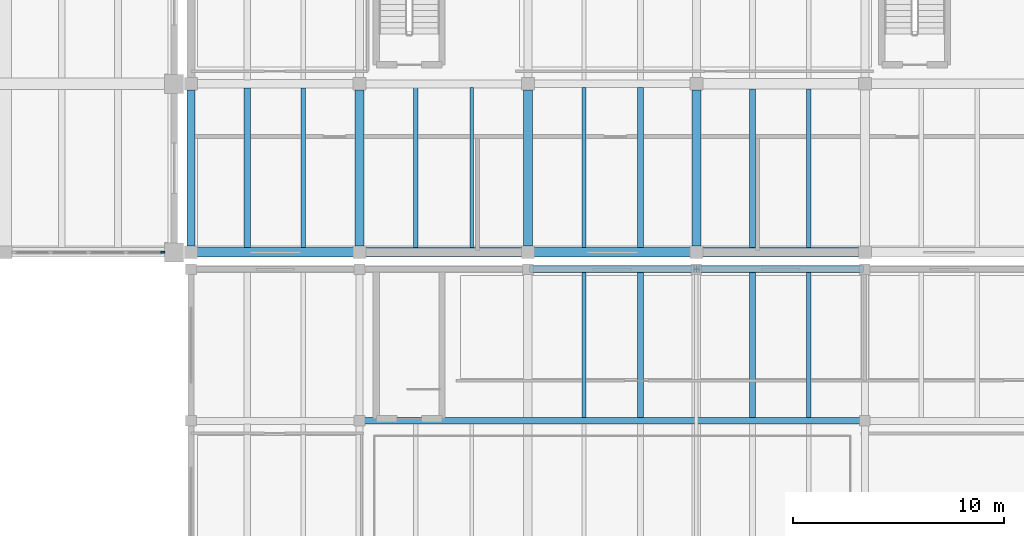
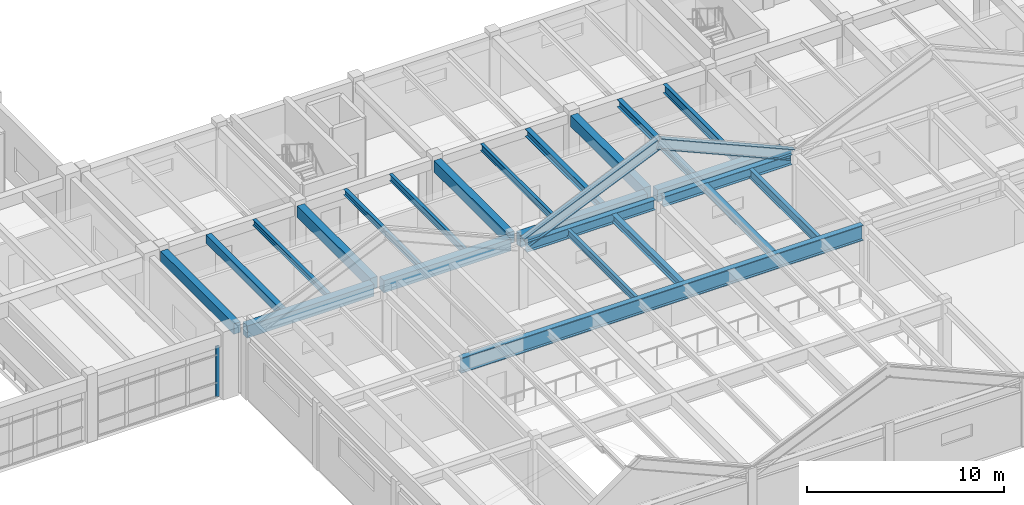
# One storey, part 14 of 67: 23 beams, 3 members, 1 element without a shape of its own.
"""IFC4 building model written with IfcOpenShell, lengths in metres."""

import ifcopenshell
import ifcopenshell.guid

model = None  # the IFC model being written
_history = None  # IfcOwnerHistory: only IFC2X3 demands one
_inside = {}  # id of a spatial element -> (the spatial element, [elements in it])
_under = {}  # id of a project, library or spatial element -> (it, [spatial elements below it])
_declared = {}  # id of a project -> (the project, [libraries it declares])
_typed = {}  # id of a type object -> (the type object, [elements of that type])
_made_of = {}  # id of a material, layer set ... -> (it, [elements and type objects made of it])


def new_model(schema):
    """Start an empty IFC model of exactly this schema.

    Asked for "IFC4X3", IfcOpenShell would pick the latest addendum, in which some entities
    have other attributes; the version numbers below select the first issue.
    IFC2X3 requires an IfcOwnerHistory on every rooted entity: one is made here for all.
    """
    global model, _history
    if schema == "IFC4X3":
        model = ifcopenshell.file(schema_version=(4, 3, 0, 0))
    else:
        model = ifcopenshell.file(schema=schema)
    _inside.clear()
    _under.clear()
    _declared.clear()
    _typed.clear()
    _made_of.clear()
    _history = None
    if model.schema == "IFC2X3":
        org = make("IfcOrganization", Name="unknown")
        user = make(
            "IfcPersonAndOrganization",
            ThePerson=make("IfcPerson", FamilyName="unknown"),
            TheOrganization=org,
        )
        app = make(
            "IfcApplication",
            ApplicationDeveloper=org,
            Version="unknown",
            ApplicationFullName="unknown",
            ApplicationIdentifier="unknown",
        )
        _history = make(
            "IfcOwnerHistory",
            OwningUser=user,
            OwningApplication=app,
            ChangeAction="ADDED",
            CreationDate=0,
        )
    return model


def make(cls, **values):
    """One entity of the class cls with the attributes given. An attribute that is None is left unset."""
    return model.create_entity(
        cls, **{name: value for name, value in values.items() if value is not None}
    )


def rooted(cls, **values):
    """An entity with a GlobalId (a new one), such as an element, a storey or a relation."""
    return make(cls, GlobalId=ifcopenshell.guid.new(), OwnerHistory=_history, **values)


def si_unit(unit_type, name, prefix=None):
    """IfcSIUnit, for example si_unit("LENGTHUNIT", "METRE", prefix="MILLI")."""
    return make("IfcSIUnit", UnitType=unit_type, Prefix=prefix, Name=name)


def assignment(units):
    """IfcUnitAssignment: the units of a project."""
    return None if units is None else make("IfcUnitAssignment", Units=units)


def point(xyz):
    """IfcCartesianPoint."""
    return None if xyz is None else make("IfcCartesianPoint", Coordinates=xyz)


def direction(xyz):
    """IfcDirection."""
    return None if xyz is None else make("IfcDirection", DirectionRatios=xyz)


def frame(location, z_axis=None, x_axis=None):
    """IfcAxis2Placement3D, a coordinate frame: its origin and axes. An axis left out is left unset."""
    return make(
        "IfcAxis2Placement3D",
        Location=point(location),
        Axis=direction(z_axis),
        RefDirection=direction(x_axis),
    )


def frame_2d(location, x_axis=None):
    """IfcAxis2Placement2D, a coordinate frame in the plane: its origin and x axis."""
    return make(
        "IfcAxis2Placement2D", Location=point(location), RefDirection=direction(x_axis)
    )


def origin():
    """The frame at (0, 0, 0) with its axes left unset."""
    return frame((0.0, 0.0, 0.0))


def origin_2d():
    """The frame at (0, 0) in the plane with its x axis left unset."""
    return frame_2d((0.0, 0.0))


def place(relative_to, where):
    """IfcLocalPlacement: puts the frame where relative to a parent placement (None: the world)."""
    return make(
        "IfcLocalPlacement", PlacementRelTo=relative_to, RelativePlacement=where
    )


def context(
    kind, dimensions, precision=None, world=None, true_north=None, identifier=None
):
    """IfcGeometricRepresentationContext, for example the 3D "Model" context."""
    return make(
        "IfcGeometricRepresentationContext",
        ContextIdentifier=identifier,
        ContextType=kind,
        CoordinateSpaceDimension=dimensions,
        Precision=precision,
        WorldCoordinateSystem=world,
        TrueNorth=true_north,
    )


def subcontext(parent, identifier, kind, view, scale=None):
    """IfcGeometricRepresentationSubContext, for example "Body" below "Model"."""
    return make(
        "IfcGeometricRepresentationSubContext",
        ContextIdentifier=identifier,
        ContextType=kind,
        ParentContext=parent,
        TargetScale=scale,
        TargetView=view,
    )


def project(units=None, contexts=None):
    """IfcProject with its units and contexts."""
    return rooted(
        "IfcProject",
        Name="project",
        RepresentationContexts=contexts,
        UnitsInContext=assignment(units),
    )


def spatial(cls, under=None, at=None, **own):
    """A site, building, storey or space (cls), placed at a placement, below another one or the project."""
    s = rooted(cls, ObjectPlacement=at, **own)
    if under is not None:
        _under.setdefault(under.id(), (under, []))[1].append(s)
    return s


def profile(cls, at=None, kind="AREA", **sizes):
    """A parametric profile (cls). Its sizes go by their IFC names, for example OverallWidth=200.0."""
    return make(cls, ProfileType=kind, Position=at, **sizes)


def rectangle(**sizes):
    """IfcRectangleProfileDef."""
    return profile("IfcRectangleProfileDef", **sizes)


def i_section(**sizes):
    """IfcIShapeProfileDef."""
    return profile("IfcIShapeProfileDef", **sizes)


def extrude(swept, where, along, depth):
    """IfcExtrudedAreaSolid: the profile swept, set in the frame where, extruded along a direction by depth."""
    return make(
        "IfcExtrudedAreaSolid",
        SweptArea=swept,
        Position=where,
        ExtrudedDirection=direction(along),
        Depth=depth,
    )


def shape(context_of_items, identifier, shape_type, items):
    """IfcShapeRepresentation: the items that make up one representation, for example the "Body"."""
    return make(
        "IfcShapeRepresentation",
        ContextOfItems=context_of_items,
        RepresentationIdentifier=identifier,
        RepresentationType=shape_type,
        Items=items,
    )


def material(Name=None, Category=None):
    """IfcMaterial."""
    return make("IfcMaterial", Name=Name, Category=Category)


def material_profile(
    of_material, cross_section, Name=None, Category=None, Priority=None
):
    """IfcMaterialProfile: a cross section and its material."""
    return make(
        "IfcMaterialProfile",
        Name=Name,
        Material=of_material,
        Profile=cross_section,
        Priority=Priority,
        Category=Category,
    )


def profile_set(profiles, Name=None, composite=None):
    """IfcMaterialProfileSet."""
    return make(
        "IfcMaterialProfileSet",
        Name=Name,
        MaterialProfiles=profiles,
        CompositeProfile=composite,
    )


def made_of(thing, what):
    """Note that an element or type object is made of a material, layer set ...; save() writes the relation."""
    if what is not None:
        _made_of.setdefault(what.id(), (what, []))[1].append(thing)
    return thing


def type_object(cls, material=None, **own):
    """A type object (cls), such as IfcWallType, which elements share."""
    return made_of(rooted(cls, **own), material)


def element(
    cls,
    number,
    at=None,
    inside=None,
    cuts=None,
    type_object=None,
    material=None,
    context=None,
    identifier="Body",
    shape_type=None,
    held_by="IfcProductDefinitionShape",
    body=None,
    shapes=None,
    **own,
):
    """One element of the class cls, such as IfcWall. Its Tag is "e" and its number.

    at: its placement. inside: the storey or other place that contains it. cuts: it is an
    opening in that element (IfcRelVoidsElement). A single representation is given by context,
    identifier, shape_type and body (its items); several are given by shapes. held_by: the class
    of the entity that holds the representations. save() writes the other relations.
    """
    e = rooted(cls, Tag="e%d" % number, ObjectPlacement=at, **own)
    if body is not None:
        shapes = [shape(context, identifier, shape_type, body)]
    if shapes is not None:
        e.Representation = make(held_by, Representations=shapes)
    if inside is not None:
        _inside.setdefault(inside.id(), (inside, []))[1].append(e)
    if cuts is not None:
        rooted(
            "IfcRelVoidsElement", RelatingBuildingElement=cuts, RelatedOpeningElement=e
        )
    if type_object is not None:
        _typed.setdefault(type_object.id(), (type_object, []))[1].append(e)
    return made_of(e, material)


def aggregate(whole, parts):
    """IfcRelAggregates: a whole, such as a stair, and the parts it consists of."""
    return rooted("IfcRelAggregates", RelatingObject=whole, RelatedObjects=parts)


def save(model, path):
    """Write the relations noted so far, then the file.

    IfcRelAggregates (storeys below a building ...), IfcRelContainedInSpatialStructure (elements
    in a storey), IfcRelDefinesByType, IfcRelAssociatesMaterial and IfcRelDeclares: one each for
    every whole, place, type object, material and project.
    """
    for whole, parts in _under.values():
        aggregate(whole, parts)
    for where, things in _inside.values():
        rooted(
            "IfcRelContainedInSpatialStructure",
            RelatedElements=things,
            RelatingStructure=where,
        )
    for kind, things in _typed.values():
        rooted("IfcRelDefinesByType", RelatedObjects=things, RelatingType=kind)
    for what, things in _made_of.values():
        rooted("IfcRelAssociatesMaterial", RelatedObjects=things, RelatingMaterial=what)
    for by, libraries in _declared.values():
        rooted("IfcRelDeclares", RelatingContext=by, RelatedDefinitions=libraries)
    model.write(path)


model = new_model("IFC4")

# Units and contexts
model_context = context("Model", 3, precision=1e-05, world=origin(), true_north=direction((0.0, 1.0)))
body_context = subcontext(model_context, "Body", "Model", "MODEL_VIEW")
ifc_project = project(units=[si_unit("LENGTHUNIT", "METRE"), si_unit("AREAUNIT", "SQUARE_METRE"), si_unit("VOLUMEUNIT", "CUBIC_METRE"), si_unit("PLANEANGLEUNIT", "RADIAN"), si_unit("MASSUNIT", "GRAM", prefix="KILO")], contexts=[model_context])

# Site, building, storey
site_placement = place(None, origin())
site = spatial("IfcSite", under=ifc_project, at=site_placement, CompositionType="ELEMENT")
building_placement = place(site_placement, origin())
building = spatial("IfcBuilding", under=site, at=building_placement, Name="Tlaxcora Railside Police Headquarters", CompositionType="ELEMENT")
storey_placement = place(building_placement, frame((0.0, 0.0, 4.800048828125)))
storey = spatial("IfcBuildingStorey", under=building, at=storey_placement, Name="L01", CompositionType="ELEMENT", Elevation=4.800048828125)

# Curtain wall, member
ifc_material_1 = material(Name="Thermally broken low-E insulated glazing", Category="glass")
curtain_wall_type = type_object("IfcCurtainWallType", Name="Unitised Curtain Wall Assembly CW-83", PredefinedType="NOTDEFINED", material=ifc_material_1)
curtain_wall_placement = place(storey_placement, origin())
curtain_wall = element("IfcCurtainWall", 1, at=curtain_wall_placement, inside=storey, type_object=curtain_wall_type, Name="V1 L01 curtain wall 11", PredefinedType="NOTDEFINED")
ifc_material_2 = material(Name="Anodised aluminium framing", Category="aluminium")
ifc_material_profile_1 = material_profile(ifc_material_2, rectangle(XDim=0.080078125, YDim=0.2099609375, at=origin_2d()), Name="AL80X210")
ifc_profile_set_1 = profile_set([ifc_material_profile_1], Name="Anodised aluminium framing")
member_type_1 = type_object("IfcMemberType", Name="Curtain Wall Mullion CW-76", PredefinedType="MULLION", material=ifc_profile_set_1)
member_placement = place(storey_placement, frame((101.4599609375, 36.0, 0.0), z_axis=(0.0, 0.0, 1.0), x_axis=(0.0, 1.0, 0.0)))
member = element("IfcMember", 2, at=member_placement, type_object=member_type_1, Name="CW mullion 5", PredefinedType="MULLION", context=body_context, shape_type="SweptSolid", body=[
    extrude(rectangle(XDim=0.080078125, YDim=0.2099609375, at=origin_2d()), origin(), (0.0, 0.0, 1.0), 3.139892578125),
])
aggregate(curtain_wall, [member])

# Beams
ifc_material_3 = material(Name="Concrete C40/50", Category="concrete")
ifc_material_profile_2 = material_profile(ifc_material_3, rectangle(XDim=0.39990234375, YDim=0.64990234375, at=origin_2d()), Name="RC400X650")
ifc_profile_set_2 = profile_set([ifc_material_profile_2], Name="Concrete C40/50")
beam_type_1 = type_object("IfcBeamType", Name="Perimeter Spandrel Beam BM-46", PredefinedType="SPANDREL", material=ifc_profile_set_2)
beam_1_placement = place(storey_placement, frame((102.800048828125, 36.2900390625, 3.5849609375), z_axis=(0.0, 1.0, 0.0), x_axis=(-1.0, 0.0, 0.0)))
element("IfcBeam", 3, at=beam_1_placement, inside=storey, type_object=beam_type_1, Name="V7 L01 Y-girder X=102.8", PredefinedType="SPANDREL", context=body_context, shape_type="SweptSolid", body=[
    extrude(rectangle(XDim=0.39990234375, YDim=0.64990234375, at=origin_2d()), origin(), (0.0, 0.0, 1.0), 7.419921875),
])
ifc_material_4 = material(Name="Steel ASTM A992 Grade 50", Category="steel")
ifc_material_profile_3 = material_profile(ifc_material_4, i_section(OverallWidth=0.324951171875, OverallDepth=0.616943359375, WebThickness=0.013916015625, FlangeThickness=0.021484375, at=origin_2d()), Name="W24X117")
ifc_profile_set_3 = profile_set([ifc_material_profile_3], Name="Steel ASTM A992 Grade 50")
beam_type_2 = type_object("IfcBeamType", Name="Perimeter Spandrel Beam BM-60", PredefinedType="SPANDREL", material=ifc_profile_set_3)
for number, where, z_axis, x_axis, name in (
    (4, (119.0400390625, 35.199951171875, 3.641357421875), (1.0, 0.0, 0.0), (0.0, 1.0, 0.0), "V3 L01 X-girder Y=35.2"),
    (5, (127.0400390625, 35.199951171875, 3.641357421875), (1.0, 0.0, 0.0), (0.0, 1.0, 0.0), "V3 L01 X-girder Y=35.2"),
):
    element("IfcBeam", number, at=place(storey_placement, frame(where, z_axis=z_axis, x_axis=x_axis)), inside=storey, type_object=beam_type_2, Name=name, PredefinedType="SPANDREL", context=body_context, shape_type="SweptSolid", body=[
        extrude(i_section(OverallWidth=0.324951171875, OverallDepth=0.616943359375, WebThickness=0.013916015625, FlangeThickness=0.021484375, at=origin_2d()), origin(), (0.0, 0.0, 1.0), 7.52001953125),
    ])
ifc_material_profile_4 = material_profile(ifc_material_3, rectangle(XDim=0.449951171875, YDim=0.75, at=origin_2d()), Name="RC450X750")
ifc_profile_set_4 = profile_set([ifc_material_profile_4], Name="Concrete C40/50")
beam_type_3 = type_object("IfcBeamType", Name="Perimeter Spandrel Beam BM-86", PredefinedType="SPANDREL", material=ifc_profile_set_4)
for number, where, z_axis, x_axis, name in (
    (6, (103.090087890625, 36.0, 3.534912109375), (1.0, 0.0, 0.0), (0.0, 1.0, 0.0), "V7 L01 X-girder Y=36.0"),
    (7, (111.090087890625, 36.0, 3.534912109375), (1.0, 0.0, 0.0), (0.0, 1.0, 0.0), "V7 L01 X-girder Y=36.0"),
    (8, (119.090087890625, 36.0, 3.534912109375), (1.0, 0.0, 0.0), (0.0, 1.0, 0.0), "V7 L01 X-girder Y=36.0"),
    (9, (127.090087890625, 36.0, 3.534912109375), (1.0, 0.0, 0.0), (0.0, 1.0, 0.0), "V7 L01 X-girder Y=36.0"),
):
    element("IfcBeam", number, at=place(storey_placement, frame(where, z_axis=z_axis, x_axis=x_axis)), inside=storey, type_object=beam_type_3, Name=name, PredefinedType="SPANDREL", context=body_context, shape_type="SweptSolid", body=[
        extrude(rectangle(XDim=0.449951171875, YDim=0.75, at=origin_2d()), origin(), (0.0, 0.0, 1.0), 7.419921875),
    ])
ifc_material_profile_5 = material_profile(ifc_material_3, rectangle(XDim=0.419921875, YDim=0.699951171875, at=origin_2d()), Name="RC420X700")
ifc_profile_set_5 = profile_set([ifc_material_profile_5], Name="Concrete C40/50")
beam_type_4 = type_object("IfcBeamType", Name="Primary Frame Girder BM-35", PredefinedType="BEAM", material=ifc_profile_set_5)
for number, where, z_axis, x_axis, name in (
    (10, (110.800048828125, 36.2900390625, 3.56005859375), (0.0, 1.0, 0.0), (-1.0, 0.0, 0.0), "V7 L01 Y-girder X=110.8"),
    (11, (118.800048828125, 36.2900390625, 3.56005859375), (0.0, 1.0, 0.0), (-1.0, 0.0, 0.0), "V7 L01 Y-girder X=118.8"),
    (12, (126.800048828125, 36.2900390625, 3.56005859375), (0.0, 1.0, 0.0), (-1.0, 0.0, 0.0), "V7 L01 Y-girder X=126.8"),
):
    element("IfcBeam", number, at=place(storey_placement, frame(where, z_axis=z_axis, x_axis=x_axis)), inside=storey, type_object=beam_type_4, Name=name, PredefinedType="BEAM", context=body_context, shape_type="SweptSolid", body=[
        extrude(rectangle(XDim=0.419921875, YDim=0.699951171875, at=origin_2d()), origin(), (0.0, 0.0, 1.0), 7.419921875),
    ])
ifc_material_profile_6 = material_profile(ifc_material_4, i_section(OverallWidth=0.31005859375, OverallDepth=0.949951171875, WebThickness=0.0244140625, FlangeThickness=0.0439453125, at=origin_2d()), Name="W36X256")
ifc_profile_set_6 = profile_set([ifc_material_profile_6], Name="Steel ASTM A992 Grade 50")
beam_type_5 = type_object("IfcBeamType", Name="Primary Frame Girder BM-48", PredefinedType="BEAM", material=ifc_profile_set_6)
beam_2_placement = place(storey_placement, frame((111.0400390625, 28.0, 3.474853515625), z_axis=(1.0, 0.0, 0.0), x_axis=(0.0, 1.0, 0.0)))
element("IfcBeam", 13, at=beam_2_placement, inside=storey, type_object=beam_type_5, Name="V3 L01 X-girder Y=28.0", PredefinedType="BEAM", context=body_context, shape_type="SweptSolid", body=[
    extrude(i_section(OverallWidth=0.31005859375, OverallDepth=0.949951171875, WebThickness=0.0244140625, FlangeThickness=0.0439453125, at=origin_2d()), origin(), (0.0, 0.0, 1.0), 23.52001953125),
])
ifc_material_profile_7 = material_profile(ifc_material_4, i_section(OverallWidth=0.280029296875, OverallDepth=0.4619140625, WebThickness=0.0107421875, FlangeThickness=0.017333984375, at=origin_2d()), Name="W18X76")
ifc_profile_set_7 = profile_set([ifc_material_profile_7], Name="Steel ASTM A992 Grade 50")
beam_type_6 = type_object("IfcBeamType", Name="Secondary Floor Joist BM-44", PredefinedType="JOIST", material=ifc_profile_set_7)
for number, where, z_axis, x_axis, name in (
    (14, (124.13330078125, 28.14697265625, 3.718994140625), (0.0, 1.0, 0.0), (-1.0, 0.0, 0.0), "V3 L01 floor joist X=124.13"),
    (15, (129.466796875, 28.14697265625, 3.718994140625), (0.0, 1.0, 0.0), (-1.0, 0.0, 0.0), "V3 L01 floor joist X=129.47"),
):
    element("IfcBeam", number, at=place(storey_placement, frame(where, z_axis=z_axis, x_axis=x_axis)), inside=storey, type_object=beam_type_6, Name=name, PredefinedType="JOIST", context=body_context, shape_type="SweptSolid", body=[
        extrude(i_section(OverallWidth=0.280029296875, OverallDepth=0.4619140625, WebThickness=0.0107421875, FlangeThickness=0.017333984375, at=origin_2d()), origin(), (0.0, 0.0, 1.0), 6.8984375),
    ])
beam_3_placement = place(storey_placement, frame((124.13330078125, 36.217041015625, 3.678955078125), z_axis=(0.0, 1.0, 0.0), x_axis=(-1.0, 0.0, 0.0)))
element("IfcBeam", 16, at=beam_3_placement, inside=storey, type_object=beam_type_6, Name="V7 L01 floor joist X=124.13", PredefinedType="JOIST", context=body_context, shape_type="SweptSolid", body=[
    extrude(i_section(OverallWidth=0.280029296875, OverallDepth=0.4619140625, WebThickness=0.0107421875, FlangeThickness=0.017333984375, at=origin_2d()), origin(), (0.0, 0.0, 1.0), 7.615966796875),
])
beam_4_placement = place(storey_placement, frame((129.466796875, 36.217041015625, 3.678955078125), z_axis=(0.0, 1.0, 0.0), x_axis=(-1.0, 0.0, 0.0)))
element("IfcBeam", 17, at=beam_4_placement, inside=storey, type_object=beam_type_6, Name="V7 L01 floor joist X=129.47", PredefinedType="JOIST", context=body_context, shape_type="SweptSolid", body=[
    extrude(i_section(OverallWidth=0.280029296875, OverallDepth=0.4619140625, WebThickness=0.0107421875, FlangeThickness=0.017333984375, at=origin_2d()), origin(), (0.0, 0.0, 1.0), 7.541015625),
])
ifc_material_profile_8 = material_profile(ifc_material_4, i_section(OverallWidth=0.2041015625, OverallDepth=0.35009765625, WebThickness=0.008544921875, FlangeThickness=0.01513671875, at=origin_2d()), Name="W14X48")
ifc_profile_set_8 = profile_set([ifc_material_profile_8], Name="Steel ASTM A992 Grade 50")
beam_type_7 = type_object("IfcBeamType", Name="Secondary Floor Joist BM-65", PredefinedType="JOIST", material=ifc_profile_set_8)
beam_5_placement = place(storey_placement, frame((108.13330078125, 36.217041015625, 3.73486328125), z_axis=(0.0, 1.0, 0.0), x_axis=(-1.0, 0.0, 0.0)))
element("IfcBeam", 18, at=beam_5_placement, inside=storey, type_object=beam_type_7, Name="V7 L01 floor joist X=108.13", PredefinedType="JOIST", context=body_context, shape_type="SweptSolid", body=[
    extrude(i_section(OverallWidth=0.2041015625, OverallDepth=0.35009765625, WebThickness=0.008544921875, FlangeThickness=0.01513671875, at=origin_2d()), origin(), (0.0, 0.0, 1.0), 7.591064453125),
])
beam_6_placement = place(storey_placement, frame((113.466796875, 36.217041015625, 3.73486328125), z_axis=(0.0, 1.0, 0.0), x_axis=(-1.0, 0.0, 0.0)))
element("IfcBeam", 19, at=beam_6_placement, inside=storey, type_object=beam_type_7, Name="V7 L01 floor joist X=113.47", PredefinedType="JOIST", context=body_context, shape_type="SweptSolid", body=[
    extrude(i_section(OverallWidth=0.2041015625, OverallDepth=0.35009765625, WebThickness=0.008544921875, FlangeThickness=0.01513671875, at=origin_2d()), origin(), (0.0, 0.0, 1.0), 7.60107421875),
])
ifc_material_profile_9 = material_profile(ifc_material_4, i_section(OverallWidth=0.180908203125, OverallDepth=0.4169921875, WebThickness=0.010009765625, FlangeThickness=0.018310546875, at=origin_2d()), Name="W16X57")
ifc_profile_set_9 = profile_set([ifc_material_profile_9], Name="Steel ASTM A992 Grade 50")
beam_type_8 = type_object("IfcBeamType", Name="Secondary Floor Joist BM-84", PredefinedType="JOIST", material=ifc_profile_set_9)
beam_7_placement = place(storey_placement, frame((121.466796875, 28.14697265625, 3.741455078125), z_axis=(0.0, 1.0, 0.0), x_axis=(-1.0, 0.0, 0.0)))
element("IfcBeam", 20, at=beam_7_placement, inside=storey, type_object=beam_type_8, Name="V3 L01 floor joist X=121.47", PredefinedType="JOIST", context=body_context, shape_type="SweptSolid", body=[
    extrude(i_section(OverallWidth=0.180908203125, OverallDepth=0.4169921875, WebThickness=0.010009765625, FlangeThickness=0.018310546875, at=origin_2d()), origin(), (0.0, 0.0, 1.0), 6.8984375),
])
beam_8_placement = place(storey_placement, frame((116.13330078125, 36.217041015625, 3.701416015625), z_axis=(0.0, 1.0, 0.0), x_axis=(-1.0, 0.0, 0.0)))
element("IfcBeam", 21, at=beam_8_placement, inside=storey, type_object=beam_type_8, Name="V7 L01 floor joist X=116.13", PredefinedType="JOIST", context=body_context, shape_type="SweptSolid", body=[
    extrude(i_section(OverallWidth=0.180908203125, OverallDepth=0.4169921875, WebThickness=0.010009765625, FlangeThickness=0.018310546875, at=origin_2d()), origin(), (0.0, 0.0, 1.0), 7.60107421875),
])
beam_9_placement = place(storey_placement, frame((121.466796875, 36.217041015625, 3.701416015625), z_axis=(0.0, 1.0, 0.0), x_axis=(-1.0, 0.0, 0.0)))
element("IfcBeam", 22, at=beam_9_placement, inside=storey, type_object=beam_type_8, Name="V7 L01 floor joist X=121.47", PredefinedType="JOIST", context=body_context, shape_type="SweptSolid", body=[
    extrude(i_section(OverallWidth=0.180908203125, OverallDepth=0.4169921875, WebThickness=0.010009765625, FlangeThickness=0.018310546875, at=origin_2d()), origin(), (0.0, 0.0, 1.0), 7.615966796875),
])
ifc_material_5 = material(Name="Concrete C35/45", Category="concrete")
ifc_material_profile_10 = material_profile(ifc_material_5, rectangle(XDim=0.320068359375, YDim=0.5, at=origin_2d()), Name="RC320X500")
ifc_profile_set_10 = profile_set([ifc_material_profile_10], Name="Concrete C35/45")
beam_type_9 = type_object("IfcBeamType", Name="Secondary Floor Joist BM-88", PredefinedType="JOIST", material=ifc_profile_set_10)
beam_10_placement = place(storey_placement, frame((105.466796875, 36.217041015625, 3.659912109375), z_axis=(0.0, 1.0, 0.0), x_axis=(-1.0, 0.0, 0.0)))
element("IfcBeam", 23, at=beam_10_placement, inside=storey, type_object=beam_type_9, Name="V7 L01 floor joist X=105.47", PredefinedType="JOIST", context=body_context, shape_type="SweptSolid", body=[
    extrude(rectangle(XDim=0.320068359375, YDim=0.5, at=origin_2d()), origin(), (0.0, 0.0, 1.0), 7.591064453125),
])
ifc_material_profile_11 = material_profile(ifc_material_4, i_section(OverallWidth=0.214111328125, OverallDepth=0.549072265625, WebThickness=0.0146484375, FlangeThickness=0.023681640625, at=origin_2d()), Name="W21X93")
ifc_profile_set_11 = profile_set([ifc_material_profile_11], Name="Steel ASTM A992 Grade 50")
beam_type_10 = type_object("IfcBeamType", Name="Secondary Floor Joist BM-97", PredefinedType="JOIST", material=ifc_profile_set_11)
beam_11_placement = place(storey_placement, frame((132.13330078125, 28.14697265625, 3.675537109375), z_axis=(0.0, 1.0, 0.0), x_axis=(-1.0, 0.0, 0.0)))
element("IfcBeam", 24, at=beam_11_placement, inside=storey, type_object=beam_type_10, Name="V3 L01 floor joist X=132.13", PredefinedType="JOIST", context=body_context, shape_type="SweptSolid", body=[
    extrude(i_section(OverallWidth=0.214111328125, OverallDepth=0.549072265625, WebThickness=0.0146484375, FlangeThickness=0.023681640625, at=origin_2d()), origin(), (0.0, 0.0, 1.0), 6.8984375),
])
beam_12_placement = place(storey_placement, frame((132.13330078125, 36.217041015625, 3.635498046875), z_axis=(0.0, 1.0, 0.0), x_axis=(-1.0, 0.0, 0.0)))
element("IfcBeam", 25, at=beam_12_placement, inside=storey, type_object=beam_type_10, Name="V7 L01 floor joist X=132.13", PredefinedType="JOIST", context=body_context, shape_type="SweptSolid", body=[
    extrude(i_section(OverallWidth=0.214111328125, OverallDepth=0.549072265625, WebThickness=0.0146484375, FlangeThickness=0.023681640625, at=origin_2d()), origin(), (0.0, 0.0, 1.0), 7.541015625),
])

# Members
ifc_material_profile_12 = material_profile(ifc_material_4, i_section(OverallWidth=0.3291015625, OverallDepth=0.635009765625, WebThickness=0.017822265625, FlangeThickness=0.031005859375, at=origin_2d()), Name="W24X162")
ifc_profile_set_12 = profile_set([ifc_material_profile_12], Name="Steel ASTM A992 Grade 50")
member_type_2 = type_object("IfcMemberType", Name="Truss Chord Member MB-35", PredefinedType="CHORD", material=ifc_profile_set_12)
for number, where, z_axis, x_axis, name in (
    (26, (119.0, 35.199951171875, 3.89990234375), (0.91669057491, 0.0, 0.399597785119), (0.0, 1.0, 0.0), "V3 gable rafter 2W"),
    (27, (134.60009765625, 35.199951171875, 3.89990234375), (-0.91669057491, 0.0, 0.399597785119), (0.0, -1.0, 0.0), "V3 gable rafter 2E"),
):
    element("IfcMember", number, at=place(storey_placement, frame(where, z_axis=z_axis, x_axis=x_axis)), inside=storey, type_object=member_type_2, Name=name, PredefinedType="CHORD", context=body_context, shape_type="SweptSolid", body=[
        extrude(i_section(OverallWidth=0.3291015625, OverallDepth=0.635009765625, WebThickness=0.017822265625, FlangeThickness=0.031005859375, at=origin_2d()), origin(), (0.0, 0.0, 1.0), 8.509033203125),
    ])

save(model, "model.ifc")
